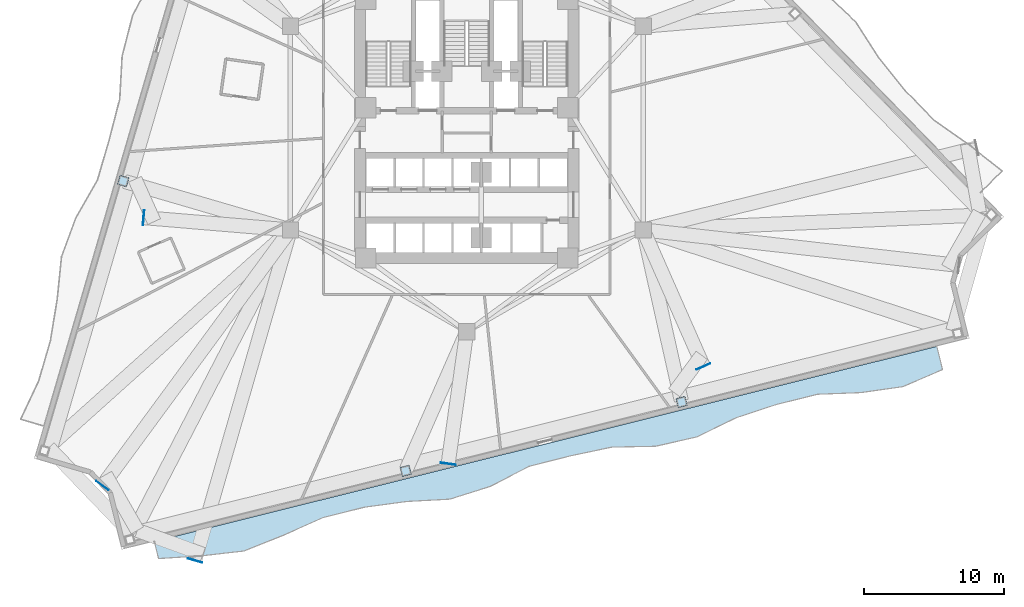
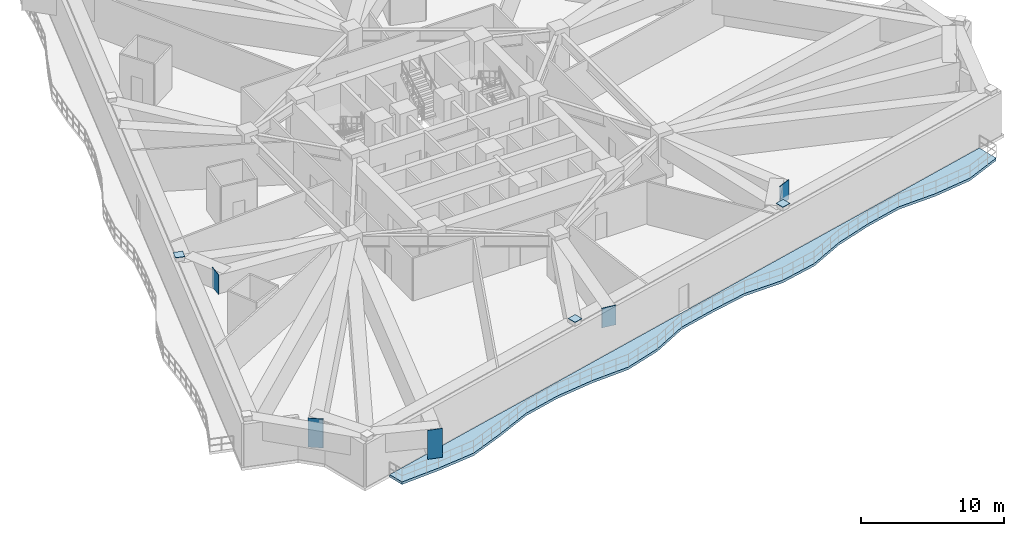
# One storey, part 3 of 14: 8 plates, 1 slab.
"""IFC4 building model written with IfcOpenShell, lengths in metres."""

from ifc_helpers import new_model, si_unit, direction, frame, origin, origin_2d, place, context, subcontext, project, spatial, polyline, rectangle, outline, extrude, material, layer, layer_set, type_object, element, save


model = new_model("IFC4")

# Units and contexts
model_context = context("Model", 3, precision=1e-05, world=origin(), true_north=direction((0.0, 1.0)))
body_context = subcontext(model_context, "Body", "Model", "MODEL_VIEW")
ifc_project = project(units=[si_unit("LENGTHUNIT", "METRE"), si_unit("AREAUNIT", "SQUARE_METRE"), si_unit("VOLUMEUNIT", "CUBIC_METRE"), si_unit("PLANEANGLEUNIT", "RADIAN"), si_unit("MASSUNIT", "GRAM", prefix="KILO")], contexts=[model_context])

# Site, building, storey
site_placement = place(None, origin())
site = spatial("IfcSite", under=ifc_project, at=site_placement, CompositionType="ELEMENT")
building_placement = place(site_placement, origin())
building = spatial("IfcBuilding", under=site, at=building_placement, Name="Apsidion Concourse Tower", CompositionType="ELEMENT")
storey_placement = place(building_placement, frame((0.0, 0.0, 123.0)))
storey = spatial("IfcBuildingStorey", under=building, at=storey_placement, Name="L28", CompositionType="ELEMENT", Elevation=123.0)

# Plates
ifc_material_1 = material(Name="Structural steel ASTM A572 Grade 50", Category="steel")
ifc_layer_1 = layer(ifc_material_1, 0.034912109375)
ifc_layer_set_1 = layer_set([ifc_layer_1], Name="Structural steel ASTM A572 Grade 50")
plate_type = type_object("IfcPlateType", Name="PL-ENDCAP-35", PredefinedType="USERDEFINED", material=ifc_layer_set_1)
for number, where, z_axis, x_axis, name in (
    (1, (-24.45703125, -3.772705078125, 3.998046875), (0.0, 0.0, 1.0), (0.28083422227, 0.959756291775, 0.0), "L28 Step-Top Column End-Cap Plate PCCAP-PC03"),
    (2, (-4.34765625, -24.404296875, 3.998046875), (0.0, 0.0, 1.0), (0.970295726276, 0.2419218956, 0.0), "L28 Step-Top Column End-Cap Plate PCCAP-PC06"),
    (3, (15.2958984375, -19.506591796875, 3.998046875), (0.0, 0.0, 1.0), (0.970295726276, 0.2419218956, 0.0), "L28 Step-Top Column End-Cap Plate PCCAP-PC07"),
):
    element("IfcPlate", number, at=place(storey_placement, frame(where, z_axis=z_axis, x_axis=x_axis)), inside=storey, type_object=plate_type, Name=name, ObjectType="FLANGE_PLATE", PredefinedType="USERDEFINED", context=body_context, shape_type="SweptSolid", body=[
        extrude(rectangle(XDim=0.679931640625, YDim=0.679931640625, at=origin_2d()), origin(), (0.0, 0.0, 1.0), 0.0400390625),
    ])
plate_placement = place(storey_placement, frame((-23.00634765625, -6.37744140625, 2.01025390625), z_axis=(0.0, 0.0, 1.0), x_axis=(-0.996536536267, 0.083156069445, 0.0)))
element("IfcPlate", 4, at=plate_placement, inside=storey, type_object=plate_type, Name="L28 Radial Transfer Girder End-Cap Plate NTRCAP-03", ObjectType="FLANGE_PLATE", PredefinedType="USERDEFINED", context=body_context, shape_type="SweptSolid", body=[
    extrude(rectangle(XDim=0.044921875, YDim=1.080078125, at=origin_2d()), origin(), (0.0, 0.0, 1.0), 1.679931640625),
])
for number, where, z_axis, x_axis, name in (
    (5, (-25.938720703125, -25.458740234375, 1.2099609375), (0.0, 0.0, 1.0), (-0.592153830802, -0.805824944182, 0.0), "L28 Radial Transfer Girder End-Cap Plate NTRCAP-04"),
    (6, (-19.34912109375, -30.788818359375, 1.2099609375), (0.0, 0.0, 1.0), (-0.277146961483, -0.960827540061, 0.0), "L28 Radial Transfer Girder End-Cap Plate NTRCAP-05"),
):
    element("IfcPlate", number, at=place(storey_placement, frame(where, z_axis=z_axis, x_axis=x_axis)), inside=storey, type_object=plate_type, Name=name, ObjectType="FLANGE_PLATE", PredefinedType="USERDEFINED", context=body_context, shape_type="SweptSolid", body=[
        extrude(rectangle(XDim=0.044921875, YDim=1.080078125, at=origin_2d()), origin(), (0.0, 0.0, 1.0), 2.47998046875),
    ])
for number, where, z_axis, x_axis, name in (
    (7, (-1.32666015625, -23.90087890625, 2.01025390625), (0.0, 0.0, 1.0), (-0.139691585007, -0.990195062136, 0.0), "L28 Radial Transfer Girder End-Cap Plate NTRCAP-06"),
    (8, (16.84521484375, -16.974609375, 2.01025390625), (0.0, 0.0, 1.0), (0.403225890599, -0.915100475986, 0.0), "L28 Radial Transfer Girder End-Cap Plate NTRCAP-07"),
):
    element("IfcPlate", number, at=place(storey_placement, frame(where, z_axis=z_axis, x_axis=x_axis)), inside=storey, type_object=plate_type, Name=name, ObjectType="FLANGE_PLATE", PredefinedType="USERDEFINED", context=body_context, shape_type="SweptSolid", body=[
        extrude(rectangle(XDim=0.044921875, YDim=1.080078125, at=origin_2d()), origin(), (0.0, 0.0, 1.0), 1.679931640625),
    ])

# Slab
ifc_material_2 = material(Name="Concrete C50/60", Category="concrete")
ifc_layer_2 = layer(ifc_material_2, 0.219970703125)
ifc_layer_set_2 = layer_set([ifc_layer_2], Name="Concrete C50/60")
slab_type = type_object("IfcSlabType", Name="SL-BAL-220", PredefinedType="FLOOR", material=ifc_layer_set_2)
slab_placement = place(storey_placement, frame((0.0, 0.0, -0.219970703125)))
element("IfcSlab", 9, at=slab_placement, inside=storey, type_object=slab_type, Name="L28 Face 2 Rippling Balcony Slab", PredefinedType="FLOOR", context=body_context, shape_type="SweptSolid", body=[
    extrude(outline(polyline([(-22.24560546875, -29.43359375), (-19.313720703125, -28.702392578125), (-16.3818359375, -27.971435546875), (-13.449951171875, -27.240478515625), (-10.51806640625, -26.509521484375), (-7.586181640625, -25.778564453125), (-4.654296875, -25.047607421875), (-1.722412109375, -24.31640625), (1.209228515625, -23.58544921875), (4.14111328125, -22.8544921875), (7.072998046875, -22.12353515625), (10.0048828125, -21.392578125), (12.936767578125, -20.66162109375), (15.86865234375, -19.9306640625), (18.800537109375, -19.19970703125), (21.732421875, -18.468505859375), (24.664306640625, -17.737548828125), (27.59619140625, -17.006591796875), (30.528076171875, -16.275634765625), (33.4599609375, -15.544677734375), (33.870849609375, -17.193115234375), (31.058349609375, -18.40283203125), (28.051513671875, -18.833251953125), (24.966796875, -18.950439453125), (22.034912109375, -19.681396484375), (19.156982421875, -20.628662109375), (16.38134765625, -21.987060546875), (13.43359375, -22.654541015625), (10.33349609375, -22.710693359375), (7.37548828125, -23.33642578125), (4.445068359375, -24.073486328125), (1.687744140625, -25.504150390625), (-1.198974609375, -26.41650390625), (-4.271484375, -26.58349609375), (-7.283935546875, -26.991455078125), (-10.2158203125, -27.722412109375), (-13.0185546875, -28.970947265625), (-15.849609375, -30.106201171875), (-18.877197265625, -30.45263671875), (-21.943115234375, -30.646484375), (-22.24560546875, -29.43359375)])), origin(), (0.0, 0.0, 1.0), 0.219970703125),
])

save(model, "model.ifc")
